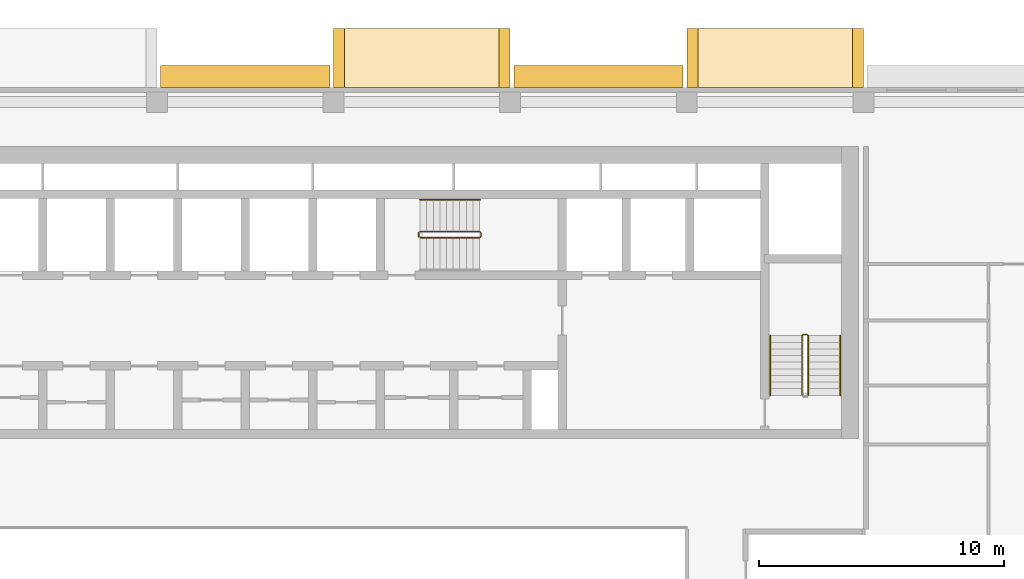
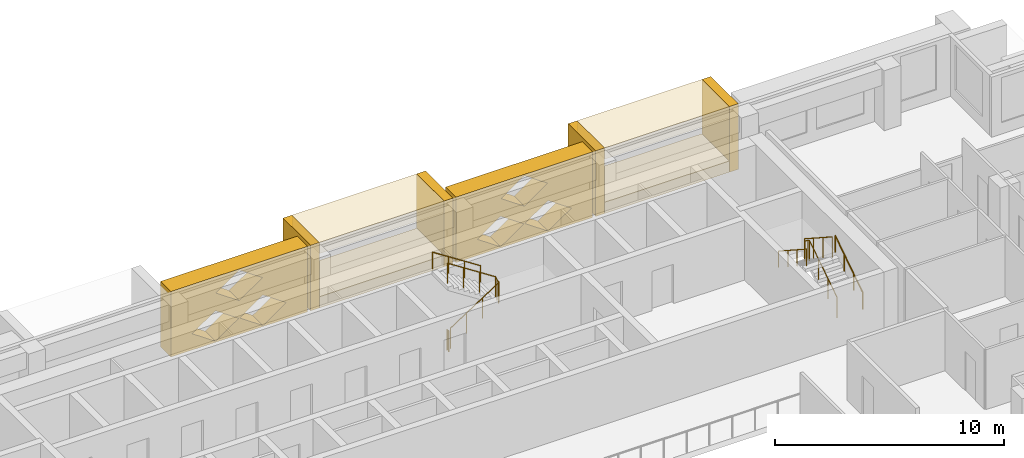
# One storey, part 19 of 20: 10 coverings, 6 railings.
"""IFC4 building model written with IfcOpenShell, lengths in metres."""

import ifcopenshell
import ifcopenshell.guid

model = None  # the IFC model being written
_history = None  # IfcOwnerHistory: only IFC2X3 demands one
_inside = {}  # id of a spatial element -> (the spatial element, [elements in it])
_under = {}  # id of a project, library or spatial element -> (it, [spatial elements below it])
_declared = {}  # id of a project -> (the project, [libraries it declares])
_typed = {}  # id of a type object -> (the type object, [elements of that type])
_made_of = {}  # id of a material, layer set ... -> (it, [elements and type objects made of it])


def new_model(schema):
    """Start an empty IFC model of exactly this schema.

    Asked for "IFC4X3", IfcOpenShell would pick the latest addendum, in which some entities
    have other attributes; the version numbers below select the first issue.
    IFC2X3 requires an IfcOwnerHistory on every rooted entity: one is made here for all.
    """
    global model, _history
    if schema == "IFC4X3":
        model = ifcopenshell.file(schema_version=(4, 3, 0, 0))
    else:
        model = ifcopenshell.file(schema=schema)
    _inside.clear()
    _under.clear()
    _declared.clear()
    _typed.clear()
    _made_of.clear()
    _history = None
    if model.schema == "IFC2X3":
        org = make("IfcOrganization", Name="unknown")
        user = make(
            "IfcPersonAndOrganization",
            ThePerson=make("IfcPerson", FamilyName="unknown"),
            TheOrganization=org,
        )
        app = make(
            "IfcApplication",
            ApplicationDeveloper=org,
            Version="unknown",
            ApplicationFullName="unknown",
            ApplicationIdentifier="unknown",
        )
        _history = make(
            "IfcOwnerHistory",
            OwningUser=user,
            OwningApplication=app,
            ChangeAction="ADDED",
            CreationDate=0,
        )
    return model


def make(cls, **values):
    """One entity of the class cls with the attributes given. An attribute that is None is left unset."""
    return model.create_entity(
        cls, **{name: value for name, value in values.items() if value is not None}
    )


def rooted(cls, **values):
    """An entity with a GlobalId (a new one), such as an element, a storey or a relation."""
    return make(cls, GlobalId=ifcopenshell.guid.new(), OwnerHistory=_history, **values)


def si_unit(unit_type, name, prefix=None):
    """IfcSIUnit, for example si_unit("LENGTHUNIT", "METRE", prefix="MILLI")."""
    return make("IfcSIUnit", UnitType=unit_type, Prefix=prefix, Name=name)


def assignment(units):
    """IfcUnitAssignment: the units of a project."""
    return None if units is None else make("IfcUnitAssignment", Units=units)


def point(xyz):
    """IfcCartesianPoint."""
    return None if xyz is None else make("IfcCartesianPoint", Coordinates=xyz)


def direction(xyz):
    """IfcDirection."""
    return None if xyz is None else make("IfcDirection", DirectionRatios=xyz)


def frame(location, z_axis=None, x_axis=None):
    """IfcAxis2Placement3D, a coordinate frame: its origin and axes. An axis left out is left unset."""
    return make(
        "IfcAxis2Placement3D",
        Location=point(location),
        Axis=direction(z_axis),
        RefDirection=direction(x_axis),
    )


def frame_2d(location, x_axis=None):
    """IfcAxis2Placement2D, a coordinate frame in the plane: its origin and x axis."""
    return make(
        "IfcAxis2Placement2D", Location=point(location), RefDirection=direction(x_axis)
    )


def origin():
    """The frame at (0, 0, 0) with its axes left unset."""
    return frame((0.0, 0.0, 0.0))


def origin_2d():
    """The frame at (0, 0) in the plane with its x axis left unset."""
    return frame_2d((0.0, 0.0))


def place(relative_to, where):
    """IfcLocalPlacement: puts the frame where relative to a parent placement (None: the world)."""
    return make(
        "IfcLocalPlacement", PlacementRelTo=relative_to, RelativePlacement=where
    )


def context(
    kind, dimensions, precision=None, world=None, true_north=None, identifier=None
):
    """IfcGeometricRepresentationContext, for example the 3D "Model" context."""
    return make(
        "IfcGeometricRepresentationContext",
        ContextIdentifier=identifier,
        ContextType=kind,
        CoordinateSpaceDimension=dimensions,
        Precision=precision,
        WorldCoordinateSystem=world,
        TrueNorth=true_north,
    )


def subcontext(parent, identifier, kind, view, scale=None):
    """IfcGeometricRepresentationSubContext, for example "Body" below "Model"."""
    return make(
        "IfcGeometricRepresentationSubContext",
        ContextIdentifier=identifier,
        ContextType=kind,
        ParentContext=parent,
        TargetScale=scale,
        TargetView=view,
    )


def project(units=None, contexts=None):
    """IfcProject with its units and contexts."""
    return rooted(
        "IfcProject",
        Name="project",
        RepresentationContexts=contexts,
        UnitsInContext=assignment(units),
    )


def spatial(cls, under=None, at=None, **own):
    """A site, building, storey or space (cls), placed at a placement, below another one or the project."""
    s = rooted(cls, ObjectPlacement=at, **own)
    if under is not None:
        _under.setdefault(under.id(), (under, []))[1].append(s)
    return s


def polyline(points):
    """IfcPolyline through the points."""
    return make("IfcPolyline", Points=[point(p) for p in points])


def profile(cls, at=None, kind="AREA", **sizes):
    """A parametric profile (cls). Its sizes go by their IFC names, for example OverallWidth=200.0."""
    return make(cls, ProfileType=kind, Position=at, **sizes)


def circle(**sizes):
    """IfcCircleProfileDef."""
    return profile("IfcCircleProfileDef", **sizes)


def outline(outer, holes=None, kind="AREA"):
    """IfcArbitraryClosedProfileDef: a profile drawn as a closed curve; with holes, ...WithVoids."""
    if holes is None:
        return make("IfcArbitraryClosedProfileDef", ProfileType=kind, OuterCurve=outer)
    return make(
        "IfcArbitraryProfileDefWithVoids",
        ProfileType=kind,
        OuterCurve=outer,
        InnerCurves=holes,
    )


def extrude(swept, where, along, depth):
    """IfcExtrudedAreaSolid: the profile swept, set in the frame where, extruded along a direction by depth."""
    return make(
        "IfcExtrudedAreaSolid",
        SweptArea=swept,
        Position=where,
        ExtrudedDirection=direction(along),
        Depth=depth,
    )


def shape(context_of_items, identifier, shape_type, items):
    """IfcShapeRepresentation: the items that make up one representation, for example the "Body"."""
    return make(
        "IfcShapeRepresentation",
        ContextOfItems=context_of_items,
        RepresentationIdentifier=identifier,
        RepresentationType=shape_type,
        Items=items,
    )


def material(Name=None, Category=None):
    """IfcMaterial."""
    return make("IfcMaterial", Name=Name, Category=Category)


def made_of(thing, what):
    """Note that an element or type object is made of a material, layer set ...; save() writes the relation."""
    if what is not None:
        _made_of.setdefault(what.id(), (what, []))[1].append(thing)
    return thing


def type_object(cls, material=None, **own):
    """A type object (cls), such as IfcWallType, which elements share."""
    return made_of(rooted(cls, **own), material)


def element(
    cls,
    number,
    at=None,
    inside=None,
    cuts=None,
    type_object=None,
    material=None,
    context=None,
    identifier="Body",
    shape_type=None,
    held_by="IfcProductDefinitionShape",
    body=None,
    shapes=None,
    **own,
):
    """One element of the class cls, such as IfcWall. Its Tag is "e" and its number.

    at: its placement. inside: the storey or other place that contains it. cuts: it is an
    opening in that element (IfcRelVoidsElement). A single representation is given by context,
    identifier, shape_type and body (its items); several are given by shapes. held_by: the class
    of the entity that holds the representations. save() writes the other relations.
    """
    e = rooted(cls, Tag="e%d" % number, ObjectPlacement=at, **own)
    if body is not None:
        shapes = [shape(context, identifier, shape_type, body)]
    if shapes is not None:
        e.Representation = make(held_by, Representations=shapes)
    if inside is not None:
        _inside.setdefault(inside.id(), (inside, []))[1].append(e)
    if cuts is not None:
        rooted(
            "IfcRelVoidsElement", RelatingBuildingElement=cuts, RelatedOpeningElement=e
        )
    if type_object is not None:
        _typed.setdefault(type_object.id(), (type_object, []))[1].append(e)
    return made_of(e, material)


def aggregate(whole, parts):
    """IfcRelAggregates: a whole, such as a stair, and the parts it consists of."""
    return rooted("IfcRelAggregates", RelatingObject=whole, RelatedObjects=parts)


def save(model, path):
    """Write the relations noted so far, then the file.

    IfcRelAggregates (storeys below a building ...), IfcRelContainedInSpatialStructure (elements
    in a storey), IfcRelDefinesByType, IfcRelAssociatesMaterial and IfcRelDeclares: one each for
    every whole, place, type object, material and project.
    """
    for whole, parts in _under.values():
        aggregate(whole, parts)
    for where, things in _inside.values():
        rooted(
            "IfcRelContainedInSpatialStructure",
            RelatedElements=things,
            RelatingStructure=where,
        )
    for kind, things in _typed.values():
        rooted("IfcRelDefinesByType", RelatedObjects=things, RelatingType=kind)
    for what, things in _made_of.values():
        rooted("IfcRelAssociatesMaterial", RelatedObjects=things, RelatingMaterial=what)
    for by, libraries in _declared.values():
        rooted("IfcRelDeclares", RelatingContext=by, RelatedDefinitions=libraries)
    model.write(path)


model = new_model("IFC4")

# Units and contexts
model_context = context("Model", 3, precision=1e-05, world=origin(), true_north=direction((0.0, 1.0)))
body_context = subcontext(model_context, "Body", "Model", "MODEL_VIEW")
ifc_project = project(units=[si_unit("LENGTHUNIT", "METRE"), si_unit("AREAUNIT", "SQUARE_METRE"), si_unit("VOLUMEUNIT", "CUBIC_METRE"), si_unit("PLANEANGLEUNIT", "RADIAN"), si_unit("MASSUNIT", "GRAM", prefix="KILO")], contexts=[model_context])

# Site, building, storey
site_placement = place(None, origin())
site = spatial("IfcSite", under=ifc_project, at=site_placement, CompositionType="ELEMENT")
building_placement = place(site_placement, origin())
building = spatial("IfcBuilding", under=site, at=building_placement, Name="Saffron Iwan Residences", CompositionType="ELEMENT")
storey_placement = place(building_placement, frame((0.0, 0.0, 150.0)))
storey = spatial("IfcBuildingStorey", under=building, at=storey_placement, Name="L39", CompositionType="ELEMENT", Elevation=150.0)

# Coverings
ifc_material_1 = material(Name="Precast concrete C40/50", Category="concrete")
covering_type_1 = type_object("IfcCoveringType", Name="OUTER SKIN LATTICE SCREEN", PredefinedType="CLADDING", material=ifc_material_1)
for number, where, z_axis, x_axis, name in (
    (1, (64.64990234375, 80.39990234375, -0.300048828125), (0.0, 1.0, 0.0), (-1.0, 0.0, 0.0), "OUTER SKIN lattice screen L39 F5.1"),
    (2, (50.25, 80.39990234375, -0.300048828125), (0.0, 1.0, 0.0), (-1.0, 0.0, 0.0), "OUTER SKIN lattice screen L39 F5.2"),
):
    element("IfcCovering", number, at=place(storey_placement, frame(where, z_axis=z_axis, x_axis=x_axis)), inside=storey, type_object=covering_type_1, Name=name, PredefinedType="CLADDING", context=body_context, shape_type="SweptSolid", body=[
        extrude(outline(polyline([(0.0, 0.0), (6.89990234375, 0.0), (6.89990234375, 3.5), (0.0, 3.5), (0.0, 0.0)]), holes=[polyline([(1.070068359375, 0.875), (2.25, 0.06005859375), (3.429931640625, 0.875), (2.25, 1.68994140625), (1.070068359375, 0.875)]), polyline([(3.469970703125, 0.875), (4.64990234375, 0.06005859375), (5.830078125, 0.875), (4.64990234375, 1.68994140625), (3.469970703125, 0.875)]), polyline([(2.27001953125, 2.625), (3.449951171875, 1.81005859375), (4.6298828125, 2.625), (3.449951171875, 3.43994140625), (2.27001953125, 2.625)])]), origin(), (0.0, 0.0, 1.0), 0.900146484375),
    ])

# Railings
ifc_material_2 = material(Name="Steel S355", Category="steel")
railing_type_1 = type_object("IfcRailingType", Name="Stair guard 1100", PredefinedType="GUARDRAIL", material=ifc_material_2)
railing_1_placement = place(storey_placement, frame((53.925048828125, 74.27490234375, 0.175048828125)))
element("IfcRailing", 3, at=railing_1_placement, inside=storey, type_object=railing_type_1, Name="L39 ST-C stair guard 1", PredefinedType="GUARDRAIL", context=body_context, shape_type="SweptSolid", body=[
    extrude(circle(Radius=0.02392578125, at=origin_2d()), frame((0.0, 0.0, 1.076171875), z_axis=(0.839153699163, 0.0, 0.543894354798), x_axis=(0.0, 1.0, 0.0)), (0.0, 0.0, 1.0), 2.895751953125),
    extrude(circle(Radius=0.02392578125, at=origin_2d()), frame((2.429931640625, 0.0, 2.65087890625), z_axis=(0.707106781187, 0.707106781187, 0.0), x_axis=(-0.707106781187, 0.707106781187, 0.0)), (0.0, 0.0, 1.0), 0.07080078125),
    extrude(circle(Radius=0.02392578125, at=origin_2d()), frame((2.47998046875, 0.050048828125, 2.65087890625), z_axis=(0.0, 1.0, 0.0), x_axis=(-1.0, 0.0, 0.0)), (0.0, 0.0, 1.0), 0.150146484375),
    extrude(circle(Radius=0.02392578125, at=origin_2d()), frame((2.47998046875, 0.2001953125, 2.65087890625), z_axis=(-0.265155923931, 0.263862480399, 0.927399011991), x_axis=(-0.705375805398, -0.708833529934, 0.0)), (0.0, 0.0, 1.0), 0.188720703125),
    extrude(circle(Radius=0.02392578125, at=origin_2d()), frame((2.429931640625, 0.25, 2.826171875), z_axis=(-0.839153699163, 0.0, 0.543894354798), x_axis=(0.0, -1.0, 0.0)), (0.0, 0.0, 1.0), 2.895751953125),
    extrude(circle(Radius=0.02099609375, at=origin_2d()), origin(), (0.0, 0.0, 1.0), 1.052001953125),
    extrude(circle(Radius=0.02099609375, at=origin_2d()), frame((0.81005859375, 0.0, 0.52490234375)), (0.0, 0.0, 1.0), 1.052001953125),
    extrude(circle(Radius=0.02099609375, at=origin_2d()), frame((1.619873046875, 0.0, 1.050048828125)), (0.0, 0.0, 1.0), 1.052001953125),
    extrude(circle(Radius=0.02099609375, at=origin_2d()), frame((2.429931640625, 0.0, 1.574951171875)), (0.0, 0.0, 1.0), 1.052001953125),
    extrude(circle(Radius=0.02099609375, at=origin_2d()), frame((2.47998046875, 0.050048828125, 1.574951171875)), (0.0, 0.0, 1.0), 1.052001953125),
    extrude(circle(Radius=0.02099609375, at=origin_2d()), frame((2.47998046875, 0.2001953125, 1.574951171875)), (0.0, 0.0, 1.0), 1.052001953125),
    extrude(circle(Radius=0.02099609375, at=origin_2d()), frame((2.429931640625, 0.25, 1.75)), (0.0, 0.0, 1.0), 1.052001953125),
    extrude(circle(Radius=0.02099609375, at=origin_2d()), frame((1.619873046875, 0.25, 2.27490234375)), (0.0, 0.0, 1.0), 1.052001953125),
    extrude(circle(Radius=0.02099609375, at=origin_2d()), frame((0.81005859375, 0.25, 2.800048828125)), (0.0, 0.0, 1.0), 1.052001953125),
    extrude(circle(Radius=0.02099609375, at=origin_2d()), frame((0.0, 0.25, 3.324951171875)), (0.0, 0.0, 1.0), 1.052001953125),
])
railing_2_placement = place(storey_placement, frame((53.875, 74.324951171875, 0.0)))
element("IfcRailing", 4, at=railing_2_placement, inside=storey, type_object=railing_type_1, Name="L39 ST-C stair guard 2", PredefinedType="GUARDRAIL", context=body_context, shape_type="SweptSolid", body=[
    extrude(circle(Radius=0.02392578125, at=origin_2d()), frame((0.0, 0.0, 1.076171875), z_axis=(0.0, 1.0, 0.0), x_axis=(-1.0, 0.0, 0.0)), (0.0, 0.0, 1.0), 0.150146484375),
    extrude(circle(Radius=0.02099609375, at=origin_2d()), origin(), (0.0, 0.0, 1.0), 1.052001953125),
    extrude(circle(Radius=0.02099609375, at=origin_2d()), frame((0.0, 0.150146484375, 0.0)), (0.0, 0.0, 1.0), 1.052001953125),
])
railing_3_placement = place(storey_placement, frame((69.75, 67.85009765625, 0.175048828125)))
element("IfcRailing", 5, at=railing_3_placement, inside=storey, type_object=railing_type_1, Name="L39 ST-E stair guard 1", PredefinedType="GUARDRAIL", context=body_context, shape_type="SweptSolid", body=[
    extrude(circle(Radius=0.02392578125, at=origin_2d()), frame((0.0, 0.0, 1.076171875), z_axis=(0.0, 0.839153699163, 0.543894354798), x_axis=(-1.0, 0.0, 0.0)), (0.0, 0.0, 1.0), 2.895751953125),
    extrude(circle(Radius=0.02392578125, at=origin_2d()), frame((0.0, 2.429931640625, 2.65087890625), z_axis=(-0.707106781187, 0.707106781187, 0.0), x_axis=(-0.707106781187, -0.707106781187, 0.0)), (0.0, 0.0, 1.0), 0.07080078125),
    extrude(circle(Radius=0.02392578125, at=origin_2d()), frame((-0.050048828125, 2.47998046875, 2.65087890625), z_axis=(-1.0, 0.0, 0.0), x_axis=(0.0, -1.0, 0.0)), (0.0, 0.0, 1.0), 0.14990234375),
    extrude(circle(Radius=0.02392578125, at=origin_2d()), frame((-0.199951171875, 2.47998046875, 2.65087890625), z_axis=(-0.265065253269, -0.265065253269, 0.927081885822), x_axis=(0.707106781187, -0.707106781187, 0.0)), (0.0, 0.0, 1.0), 0.188720703125),
    extrude(circle(Radius=0.02392578125, at=origin_2d()), frame((-0.25, 2.429931640625, 2.826171875), z_axis=(0.0, -0.839153699163, 0.543894354798), x_axis=(1.0, 0.0, 0.0)), (0.0, 0.0, 1.0), 2.895751953125),
    extrude(circle(Radius=0.02099609375, at=origin_2d()), origin(), (0.0, 0.0, 1.0), 1.052001953125),
    extrude(circle(Radius=0.02099609375, at=origin_2d()), frame((0.0, 0.81005859375, 0.52490234375)), (0.0, 0.0, 1.0), 1.052001953125),
    extrude(circle(Radius=0.02099609375, at=origin_2d()), frame((0.0, 1.619873046875, 1.050048828125)), (0.0, 0.0, 1.0), 1.052001953125),
    extrude(circle(Radius=0.02099609375, at=origin_2d()), frame((0.0, 2.429931640625, 1.574951171875)), (0.0, 0.0, 1.0), 1.052001953125),
    extrude(circle(Radius=0.02099609375, at=origin_2d()), frame((-0.050048828125, 2.47998046875, 1.574951171875)), (0.0, 0.0, 1.0), 1.052001953125),
    extrude(circle(Radius=0.02099609375, at=origin_2d()), frame((-0.199951171875, 2.47998046875, 1.574951171875)), (0.0, 0.0, 1.0), 1.052001953125),
    extrude(circle(Radius=0.02099609375, at=origin_2d()), frame((-0.25, 2.429931640625, 1.75)), (0.0, 0.0, 1.0), 1.052001953125),
    extrude(circle(Radius=0.02099609375, at=origin_2d()), frame((-0.25, 1.619873046875, 2.27490234375)), (0.0, 0.0, 1.0), 1.052001953125),
    extrude(circle(Radius=0.02099609375, at=origin_2d()), frame((-0.25, 0.81005859375, 2.800048828125)), (0.0, 0.0, 1.0), 1.052001953125),
    extrude(circle(Radius=0.02099609375, at=origin_2d()), frame((-0.25, 0.0, 3.324951171875)), (0.0, 0.0, 1.0), 1.052001953125),
])
ifc_material_3 = material(Name="Stainless steel 316", Category="steel")
railing_type_2 = type_object("IfcRailingType", Name="Stair handrail 900", PredefinedType="HANDRAIL", material=ifc_material_3)
railing_4_placement = place(storey_placement, frame((56.35498046875, 75.824951171875, 1.925048828125)))
element("IfcRailing", 6, at=railing_4_placement, inside=storey, type_object=railing_type_2, Name="L39 ST-C stair handrail 2", PredefinedType="HANDRAIL", context=body_context, shape_type="SweptSolid", body=[
    extrude(circle(Radius=0.02392578125, at=origin_2d()), frame((0.0, 0.0, 0.8759765625), z_axis=(-0.839153699163, 0.0, 0.543894354798), x_axis=(0.0, -1.0, 0.0)), (0.0, 0.0, 1.0), 2.895751953125),
    extrude(circle(Radius=0.02099609375, at=origin_2d()), origin(), (0.0, 0.0, 1.0), 0.851806640625),
    extrude(circle(Radius=0.02099609375, at=origin_2d()), frame((-0.81005859375, 0.0, 0.52490234375)), (0.0, 0.0, 1.0), 0.851806640625),
    extrude(circle(Radius=0.02099609375, at=origin_2d()), frame((-1.619873046875, 0.0, 1.050048828125)), (0.0, 0.0, 1.0), 0.851806640625),
    extrude(circle(Radius=0.02099609375, at=origin_2d()), frame((-2.429931640625, 0.0, 1.574951171875)), (0.0, 0.0, 1.0), 0.851806640625),
])
railing_5_placement = place(storey_placement, frame((71.050048828125, 67.85009765625, 0.175048828125)))
element("IfcRailing", 7, at=railing_5_placement, inside=storey, type_object=railing_type_2, Name="L39 ST-E stair handrail 1", PredefinedType="HANDRAIL", context=body_context, shape_type="SweptSolid", body=[
    extrude(circle(Radius=0.02392578125, at=origin_2d()), frame((0.0, 0.0, 0.8759765625), z_axis=(0.0, 0.839153699163, 0.543894354798), x_axis=(-1.0, 0.0, 0.0)), (0.0, 0.0, 1.0), 2.895751953125),
    extrude(circle(Radius=0.02099609375, at=origin_2d()), origin(), (0.0, 0.0, 1.0), 0.851806640625),
    extrude(circle(Radius=0.02099609375, at=origin_2d()), frame((0.0, 0.81005859375, 0.52490234375)), (0.0, 0.0, 1.0), 0.851806640625),
    extrude(circle(Radius=0.02099609375, at=origin_2d()), frame((0.0, 1.619873046875, 1.050048828125)), (0.0, 0.0, 1.0), 0.851806640625),
    extrude(circle(Radius=0.02099609375, at=origin_2d()), frame((0.0, 2.429931640625, 1.574951171875)), (0.0, 0.0, 1.0), 0.851806640625),
])
railing_6_placement = place(storey_placement, frame((68.199951171875, 70.280029296875, 1.925048828125)))
element("IfcRailing", 8, at=railing_6_placement, inside=storey, type_object=railing_type_2, Name="L39 ST-E stair handrail 2", PredefinedType="HANDRAIL", context=body_context, shape_type="SweptSolid", body=[
    extrude(circle(Radius=0.02392578125, at=origin_2d()), frame((0.0, 0.0, 0.8759765625), z_axis=(0.0, -0.839153699163, 0.543894354798), x_axis=(1.0, 0.0, 0.0)), (0.0, 0.0, 1.0), 2.895751953125),
    extrude(circle(Radius=0.02099609375, at=origin_2d()), origin(), (0.0, 0.0, 1.0), 0.851806640625),
    extrude(circle(Radius=0.02099609375, at=origin_2d()), frame((0.0, -0.81005859375, 0.52490234375)), (0.0, 0.0, 1.0), 0.851806640625),
    extrude(circle(Radius=0.02099609375, at=origin_2d()), frame((0.0, -1.619873046875, 1.050048828125)), (0.0, 0.0, 1.0), 0.851806640625),
    extrude(circle(Radius=0.02099609375, at=origin_2d()), frame((0.0, -2.429931640625, 1.574951171875)), (0.0, 0.0, 1.0), 0.851806640625),
])

# Coverings
ifc_material_4 = material(Name="Precast concrete C40/50 white painted", Category="concrete")
covering_type_2 = type_object("IfcCoveringType", Name="WHITE SUN FRAME PRECAST", PredefinedType="CLADDING", material=ifc_material_4)
for number, where, z_axis, x_axis, name in (
    (9, (72.0, 80.39990234375, -0.300048828125), (0.0, 1.0, 0.0), (-1.0, 0.0, 0.0), "Sun frame L39 F5 10.8a"),
    (10, (65.25, 80.39990234375, -0.300048828125), (0.0, 1.0, 0.0), (-1.0, 0.0, 0.0), "Sun frame L39 F5 10.8b"),
):
    element("IfcCovering", number, at=place(storey_placement, frame(where, z_axis=z_axis, x_axis=x_axis)), inside=storey, type_object=covering_type_2, Name=name, PredefinedType="CLADDING", context=body_context, shape_type="SweptSolid", body=[
        extrude(outline(polyline([(0.0, 0.0), (0.449951171875, 0.0), (0.449951171875, 3.5), (0.0, 3.5), (0.0, 0.0)])), origin(), (0.0, 0.0, 1.0), 2.400146484375),
    ])
for number, where, z_axis, x_axis, name in (
    (11, (71.550048828125, 80.39990234375, 2.60009765625), (0.0, 1.0, 0.0), (-1.0, 0.0, 0.0), "Sun frame L39 F5 10.8h"),
    (12, (71.550048828125, 80.39990234375, -0.300048828125), (0.0, 1.0, 0.0), (-1.0, 0.0, 0.0), "Sun frame L39 F5 10.8s"),
):
    element("IfcCovering", number, at=place(storey_placement, frame(where, z_axis=z_axis, x_axis=x_axis)), inside=storey, type_object=covering_type_2, Name=name, PredefinedType="CLADDING", context=body_context, shape_type="SweptSolid", body=[
        extrude(outline(polyline([(0.0, 0.0), (6.300048828125, 0.0), (6.300048828125, 0.60009765625), (0.0, 0.60009765625), (0.0, 0.0)])), origin(), (0.0, 0.0, 1.0), 2.400146484375),
    ])
for number, where, z_axis, x_axis, name in (
    (13, (57.60009765625, 80.39990234375, -0.300048828125), (0.0, 1.0, 0.0), (-1.0, 0.0, 0.0), "Sun frame L39 F5 25.2a"),
    (14, (50.85009765625, 80.39990234375, -0.300048828125), (0.0, 1.0, 0.0), (-1.0, 0.0, 0.0), "Sun frame L39 F5 25.2b"),
):
    element("IfcCovering", number, at=place(storey_placement, frame(where, z_axis=z_axis, x_axis=x_axis)), inside=storey, type_object=covering_type_2, Name=name, PredefinedType="CLADDING", context=body_context, shape_type="SweptSolid", body=[
        extrude(outline(polyline([(0.0, 0.0), (0.449951171875, 0.0), (0.449951171875, 3.5), (0.0, 3.5), (0.0, 0.0)])), origin(), (0.0, 0.0, 1.0), 2.400146484375),
    ])
for number, where, z_axis, x_axis, name in (
    (15, (57.14990234375, 80.39990234375, 2.60009765625), (0.0, 1.0, 0.0), (-1.0, 0.0, 0.0), "Sun frame L39 F5 25.2h"),
    (16, (57.14990234375, 80.39990234375, -0.300048828125), (0.0, 1.0, 0.0), (-1.0, 0.0, 0.0), "Sun frame L39 F5 25.2s"),
):
    element("IfcCovering", number, at=place(storey_placement, frame(where, z_axis=z_axis, x_axis=x_axis)), inside=storey, type_object=covering_type_2, Name=name, PredefinedType="CLADDING", context=body_context, shape_type="SweptSolid", body=[
        extrude(outline(polyline([(0.0, 0.0), (6.300048828125, 0.0), (6.300048828125, 0.60009765625), (0.0, 0.60009765625), (0.0, 0.0)])), origin(), (0.0, 0.0, 1.0), 2.400146484375),
    ])

save(model, "model.ifc")
